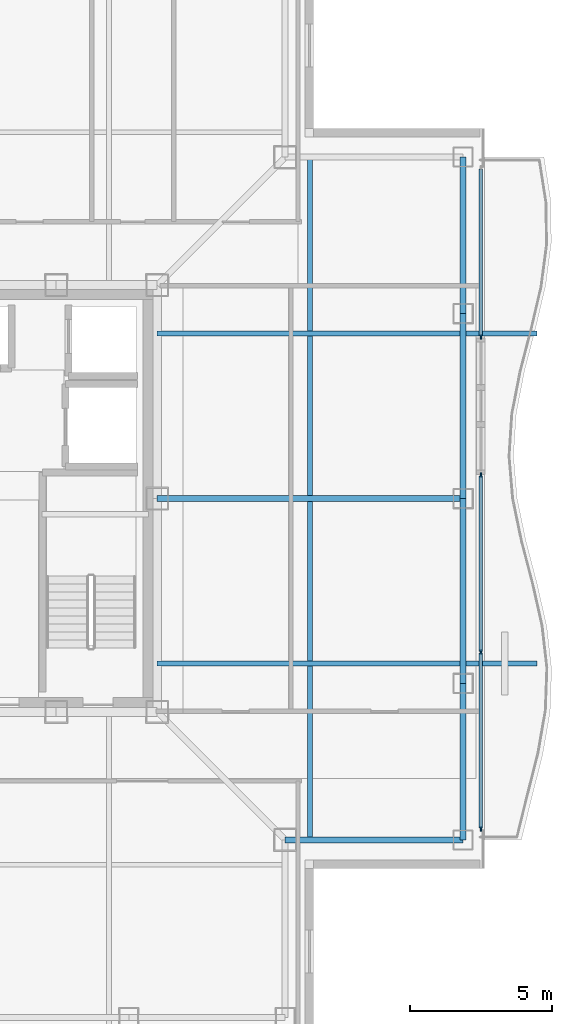
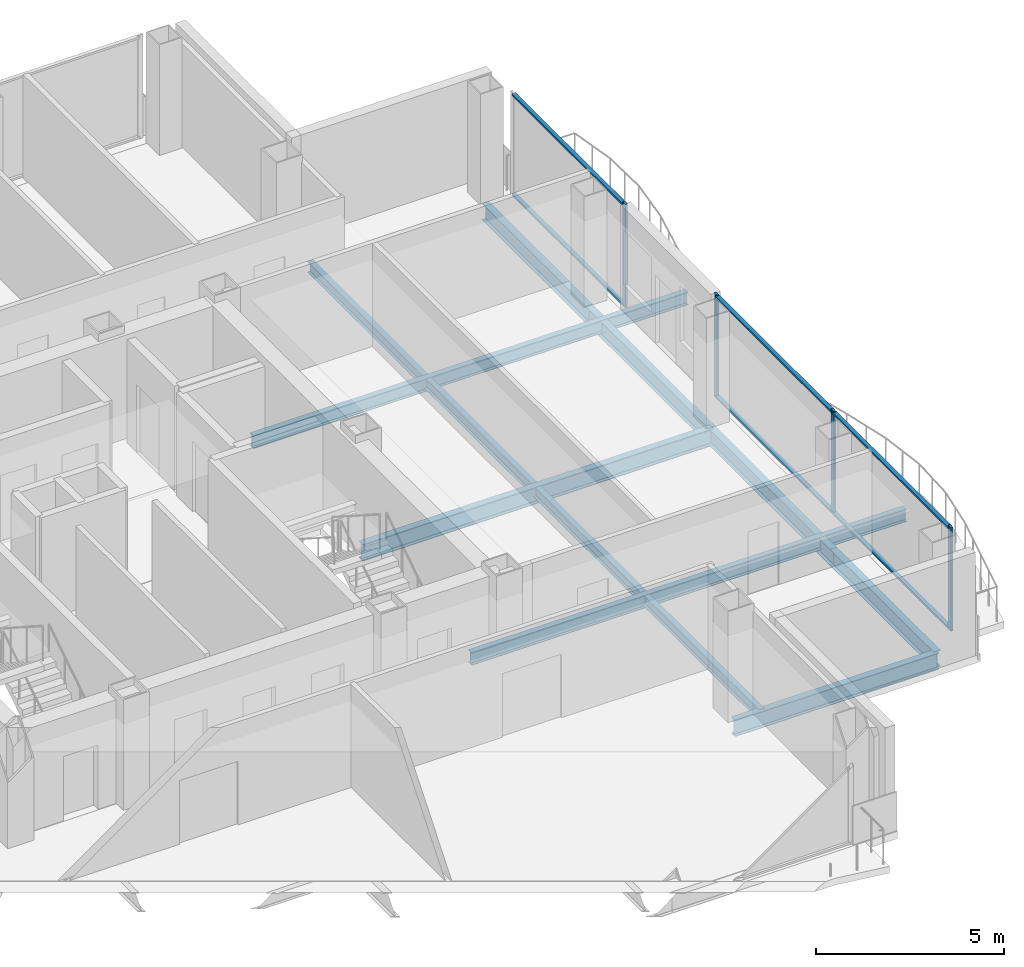
# One storey, part 6 of 17: 10 members, 9 beams, 2 elements without a shape of their own.
"""IFC4 building model written with IfcOpenShell, lengths in metres."""

from ifc_helpers import new_model, si_unit, direction, frame, origin, origin_2d, place, context, subcontext, project, spatial, rectangle, i_section, extrude, material, layer, layer_set, material_profile, profile_set, type_object, element, aggregate, save


model = new_model("IFC4")

# Units and contexts
model_context = context("Model", 3, precision=1e-05, world=origin(), true_north=direction((0.0, 1.0)))
body_context = subcontext(model_context, "Body", "Model", "MODEL_VIEW")
ifc_project = project(units=[si_unit("LENGTHUNIT", "METRE"), si_unit("AREAUNIT", "SQUARE_METRE"), si_unit("VOLUMEUNIT", "CUBIC_METRE"), si_unit("PLANEANGLEUNIT", "RADIAN"), si_unit("MASSUNIT", "GRAM", prefix="KILO")], contexts=[model_context])

# Site, building, storey
site_placement = place(None, origin())
site = spatial("IfcSite", under=ifc_project, at=site_placement, CompositionType="ELEMENT")
building_placement = place(site_placement, origin())
building = spatial("IfcBuilding", under=site, at=building_placement, Name="Trevonay Congress Spire", CompositionType="ELEMENT")
storey_placement = place(building_placement, frame((0.0, 0.0, 264.800048828125)))
storey = spatial("IfcBuildingStorey", under=building, at=storey_placement, Name="L69", CompositionType="ELEMENT", Elevation=264.800048828125)

# Beams
ifc_material_1 = material(Name="Steel ASTM A572 Grade 50", Category="steel")
ifc_material_profile_1 = material_profile(ifc_material_1, i_section(OverallWidth=0.2119140625, OverallDepth=0.5439453125, WebThickness=0.01318359375, FlangeThickness=0.021240234375, FilletRadius=0.014892578125, at=origin_2d()), Name="W530x123")
ifc_profile_set_1 = profile_set([ifc_material_profile_1], Name="Steel ASTM A572 Grade 50")
beam_type_1 = type_object("IfcBeamType", Name="BM-GIRD-W530X123", PredefinedType="BEAM", material=ifc_profile_set_1)
beam_1_placement = place(storey_placement, frame((7.5, 0.0, -0.511962890625), z_axis=(1.0, 0.0, 0.0), x_axis=(0.0, 1.0, 0.0)))
element("IfcBeam", 1, at=beam_1_placement, inside=storey, type_object=beam_type_1, Name="L69 structural beam BM-L69-GC-E", PredefinedType="BEAM", context=body_context, shape_type="SweptSolid", body=[
    extrude(i_section(OverallWidth=0.2119140625, OverallDepth=0.5439453125, WebThickness=0.01318359375, FlangeThickness=0.021240234375, FilletRadius=0.014892578125, at=origin_2d()), origin(), (0.0, 0.0, 1.0), 10.75),
])
ifc_material_profile_2 = material_profile(ifc_material_1, i_section(OverallWidth=0.208984375, OverallDepth=0.532958984375, WebThickness=0.01025390625, FlangeThickness=0.015625, FilletRadius=0.014892578125, at=origin_2d()), Name="W530x92")
ifc_profile_set_2 = profile_set([ifc_material_profile_2], Name="Steel ASTM A572 Grade 50")
beam_type_2 = type_object("IfcBeamType", Name="BM-RING-W530X92", PredefinedType="BEAM", material=ifc_profile_set_2)
beam_2_placement = place(storey_placement, frame((18.25, -12.0, -0.506591796875), z_axis=(0.0, 1.0, 0.0), x_axis=(-1.0, 0.0, 0.0)))
element("IfcBeam", 2, at=beam_2_placement, inside=storey, type_object=beam_type_2, Name="L69 structural beam BM-L69-PE1", PredefinedType="BEAM", context=body_context, shape_type="SweptSolid", body=[
    extrude(i_section(OverallWidth=0.208984375, OverallDepth=0.532958984375, WebThickness=0.01025390625, FlangeThickness=0.015625, FilletRadius=0.014892578125, at=origin_2d()), origin(), (0.0, 0.0, 1.0), 5.5),
])
for number, where, z_axis, x_axis, name in (
    (3, (18.25, -6.5, -0.506591796875), (0.0, 1.0, 0.0), (-1.0, 0.0, 0.0), "L69 structural beam BM-L69-PE2"),
    (4, (18.25, 0.0, -0.506591796875), (0.0, 1.0, 0.0), (-1.0, 0.0, 0.0), "L69 structural beam BM-L69-PE3"),
):
    element("IfcBeam", number, at=place(storey_placement, frame(where, z_axis=z_axis, x_axis=x_axis)), inside=storey, type_object=beam_type_2, Name=name, PredefinedType="BEAM", context=body_context, shape_type="SweptSolid", body=[
        extrude(i_section(OverallWidth=0.208984375, OverallDepth=0.532958984375, WebThickness=0.01025390625, FlangeThickness=0.015625, FilletRadius=0.014892578125, at=origin_2d()), origin(), (0.0, 0.0, 1.0), 6.5),
    ])
beam_3_placement = place(storey_placement, frame((18.25, 6.5, -0.506591796875), z_axis=(0.0, 1.0, 0.0), x_axis=(-1.0, 0.0, 0.0)))
element("IfcBeam", 5, at=beam_3_placement, inside=storey, type_object=beam_type_2, Name="L69 structural beam BM-L69-PE4", PredefinedType="BEAM", context=body_context, shape_type="SweptSolid", body=[
    extrude(i_section(OverallWidth=0.208984375, OverallDepth=0.532958984375, WebThickness=0.01025390625, FlangeThickness=0.015625, FilletRadius=0.014892578125, at=origin_2d()), origin(), (0.0, 0.0, 1.0), 5.5),
])
beam_4_placement = place(storey_placement, frame((18.25, -12.0, -0.506591796875), z_axis=(-1.0, 0.0, 0.0), x_axis=(0.0, -1.0, 0.0)))
element("IfcBeam", 6, at=beam_4_placement, inside=storey, type_object=beam_type_2, Name="L69 structural beam BM-L69-N2SE", PredefinedType="BEAM", context=body_context, shape_type="SweptSolid", body=[
    extrude(i_section(OverallWidth=0.208984375, OverallDepth=0.532958984375, WebThickness=0.01025390625, FlangeThickness=0.015625, FilletRadius=0.014892578125, at=origin_2d()), origin(), (0.0, 0.0, 1.0), 6.25),
])
ifc_material_profile_3 = material_profile(ifc_material_1, i_section(OverallWidth=0.180908203125, OverallDepth=0.4169921875, WebThickness=0.010986328125, FlangeThickness=0.018310546875, FilletRadius=0.012939453125, at=origin_2d()), Name="W410x85")
ifc_profile_set_3 = profile_set([ifc_material_profile_3], Name="Steel ASTM A572 Grade 50")
beam_type_3 = type_object("IfcBeamType", Name="BM-WAV-LOOKOUT", PredefinedType="BEAM", material=ifc_profile_set_3)
for number, where, z_axis, x_axis, name in (
    (7, (7.5, -5.800048828125, -0.448486328125), (1.0, 0.0, 0.0), (0.0, 1.0, 0.0), "L69 structural beam WLK-L69-E1"),
    (8, (7.5, 5.800048828125, -0.448486328125), (1.0, 0.0, 0.0), (0.0, 1.0, 0.0), "L69 structural beam WLK-L69-E2"),
):
    element("IfcBeam", number, at=place(storey_placement, frame(where, z_axis=z_axis, x_axis=x_axis)), inside=storey, type_object=beam_type_3, Name=name, PredefinedType="BEAM", context=body_context, shape_type="SweptSolid", body=[
        extrude(i_section(OverallWidth=0.180908203125, OverallDepth=0.4169921875, WebThickness=0.010986328125, FlangeThickness=0.018310546875, FilletRadius=0.012939453125, at=origin_2d()), origin(), (0.0, 0.0, 1.0), 13.35009765625),
    ])

# Curtain wall, members
ifc_material_2 = material(Name="Pale Anodised Aluminium EN AW-6063-T6", Category="aluminium")
ifc_layer = layer(ifc_material_2, 0.1650390625, Name="Pale Anodised Aluminium EN AW-6063-T6")
ifc_layer_set = layer_set([ifc_layer], Name="Pale Anodised Aluminium EN AW-6063-T6")
curtain_wall_type = type_object("IfcCurtainWallType", Name="CW-SYS05-DIPLOM-PALE-METAL", PredefinedType="NOTDEFINED", material=ifc_layer_set)
curtain_wall_1_placement = place(storey_placement, origin())
curtain_wall_1 = element("IfcCurtainWall", 9, at=curtain_wall_1_placement, inside=storey, type_object=curtain_wall_type, Name="L69 EA unitised curtain wall", PredefinedType="NOTDEFINED")
ifc_material_profile_4 = material_profile(ifc_material_2, rectangle(XDim=0.06005859375, YDim=0.159912109375, at=origin_2d()), Name="CW-MULLION-160-ALUMINIUM")
ifc_profile_set_4 = profile_set([ifc_material_profile_4], Name="Pale Anodised Aluminium EN AW-6063-T6")
member_type_1 = type_object("IfcMemberType", Name="CW-MULLION-160-ALUMINIUM", PredefinedType="MULLION", material=ifc_profile_set_4)
member_1_placement = place(storey_placement, frame((18.8798828125, -11.6201171875, 0.0), z_axis=(0.0, 0.0, 1.0), x_axis=(-1.0, 0.0, 0.0)))
member_1 = element("IfcMember", 10, at=member_1_placement, type_object=member_type_1, Name="CW05 mullion 1", PredefinedType="MULLION", context=body_context, shape_type="SweptSolid", body=[
    extrude(rectangle(XDim=0.06005859375, YDim=0.159912109375, at=origin_2d()), origin(), (0.0, 0.0, 1.0), 3.35986328125),
])
member_2_placement = place(storey_placement, frame((18.8798828125, -5.39990234375, 0.0), z_axis=(0.0, 0.0, 1.0), x_axis=(-1.0, 0.0, 0.0)))
member_2 = element("IfcMember", 11, at=member_2_placement, type_object=member_type_1, Name="CW05 mullion 2", PredefinedType="MULLION", context=body_context, shape_type="SweptSolid", body=[
    extrude(rectangle(XDim=0.06005859375, YDim=0.159912109375, at=origin_2d()), origin(), (0.0, 0.0, 1.0), 3.35986328125),
])
member_3_placement = place(storey_placement, frame((18.8798828125, 0.820068359375, 0.0), z_axis=(0.0, 0.0, 1.0), x_axis=(-1.0, 0.0, 0.0)))
member_3 = element("IfcMember", 12, at=member_3_placement, type_object=member_type_1, Name="CW05 mullion 3", PredefinedType="MULLION", context=body_context, shape_type="SweptSolid", body=[
    extrude(rectangle(XDim=0.06005859375, YDim=0.159912109375, at=origin_2d()), origin(), (0.0, 0.0, 1.0), 3.35986328125),
])

# Curtain wall, member
curtain_wall_2_placement = place(storey_placement, origin())
curtain_wall_2 = element("IfcCurtainWall", 13, at=curtain_wall_2_placement, inside=storey, type_object=curtain_wall_type, Name="L69 EB unitised curtain wall", PredefinedType="NOTDEFINED")
member_4_placement = place(storey_placement, frame((18.8798828125, 5.679931640625, 0.0), z_axis=(0.0, 0.0, 1.0), x_axis=(-1.0, 0.0, 0.0)))
member_4 = element("IfcMember", 14, at=member_4_placement, type_object=member_type_1, Name="CW05 mullion 1", PredefinedType="MULLION", context=body_context, shape_type="SweptSolid", body=[
    extrude(rectangle(XDim=0.06005859375, YDim=0.159912109375, at=origin_2d()), origin(), (0.0, 0.0, 1.0), 3.35986328125),
])

# Member
ifc_material_profile_5 = material_profile(ifc_material_2, rectangle(XDim=0.1201171875, YDim=0.06005859375, at=origin_2d()), Name="CW-TRANSOM-120-ALUMINIUM")
ifc_profile_set_5 = profile_set([ifc_material_profile_5], Name="Pale Anodised Aluminium EN AW-6063-T6")
member_type_2 = type_object("IfcMemberType", Name="CW-TRANSOM-120-ALUMINIUM", PredefinedType="USERDEFINED", material=ifc_profile_set_5)
member_5_placement = place(storey_placement, frame((18.8798828125, -11.590087890625, 0.06005859375), z_axis=(0.0, 1.0, 0.0), x_axis=(-1.0, 0.0, 0.0)))
member_5 = element("IfcMember", 15, at=member_5_placement, type_object=member_type_2, Name="CW05 transom 1.1", ObjectType="TRANSOM", PredefinedType="USERDEFINED", context=body_context, shape_type="SweptSolid", body=[
    extrude(rectangle(XDim=0.1201171875, YDim=0.06005859375, at=origin_2d()), origin(), (0.0, 0.0, 1.0), 6.16015625),
])

member_6_placement = place(storey_placement, frame((18.8798828125, -11.590087890625, 3.300048828125), z_axis=(0.0, 1.0, 0.0), x_axis=(-1.0, 0.0, 0.0)))
member_6 = element("IfcMember", 16, at=member_6_placement, type_object=member_type_2, Name="CW05 transom 1.2", ObjectType="TRANSOM", PredefinedType="USERDEFINED", context=body_context, shape_type="SweptSolid", body=[
    extrude(rectangle(XDim=0.1201171875, YDim=0.06005859375, at=origin_2d()), origin(), (0.0, 0.0, 1.0), 6.16015625),
])

member_7_placement = place(storey_placement, frame((18.8798828125, -5.3701171875, 0.06005859375), z_axis=(0.0, 1.0, 0.0), x_axis=(-1.0, 0.0, 0.0)))
member_7 = element("IfcMember", 17, at=member_7_placement, type_object=member_type_2, Name="CW05 transom 2.1", ObjectType="TRANSOM", PredefinedType="USERDEFINED", context=body_context, shape_type="SweptSolid", body=[
    extrude(rectangle(XDim=0.1201171875, YDim=0.06005859375, at=origin_2d()), origin(), (0.0, 0.0, 1.0), 6.16015625),
])

member_8_placement = place(storey_placement, frame((18.8798828125, -5.3701171875, 3.300048828125), z_axis=(0.0, 1.0, 0.0), x_axis=(-1.0, 0.0, 0.0)))
member_8 = element("IfcMember", 18, at=member_8_placement, type_object=member_type_2, Name="CW05 transom 2.2", ObjectType="TRANSOM", PredefinedType="USERDEFINED", context=body_context, shape_type="SweptSolid", body=[
    extrude(rectangle(XDim=0.1201171875, YDim=0.06005859375, at=origin_2d()), origin(), (0.0, 0.0, 1.0), 6.16015625),
])

aggregate(curtain_wall_1, [member_1, member_2, member_3, member_5, member_6, member_7, member_8])

member_9_placement = place(storey_placement, frame((18.8798828125, 5.7099609375, 0.06005859375), z_axis=(0.0, 1.0, 0.0), x_axis=(-1.0, 0.0, 0.0)))
member_9 = element("IfcMember", 19, at=member_9_placement, type_object=member_type_2, Name="CW05 transom 1.1", ObjectType="TRANSOM", PredefinedType="USERDEFINED", context=body_context, shape_type="SweptSolid", body=[
    extrude(rectangle(XDim=0.1201171875, YDim=0.06005859375, at=origin_2d()), origin(), (0.0, 0.0, 1.0), 5.880126953125),
])

member_10_placement = place(storey_placement, frame((18.8798828125, 5.7099609375, 3.300048828125), z_axis=(0.0, 1.0, 0.0), x_axis=(-1.0, 0.0, 0.0)))
member_10 = element("IfcMember", 20, at=member_10_placement, type_object=member_type_2, Name="CW05 transom 1.2", ObjectType="TRANSOM", PredefinedType="USERDEFINED", context=body_context, shape_type="SweptSolid", body=[
    extrude(rectangle(XDim=0.1201171875, YDim=0.06005859375, at=origin_2d()), origin(), (0.0, 0.0, 1.0), 5.880126953125),
])

aggregate(curtain_wall_2, [member_4, member_9, member_10])

# Beam
ifc_material_profile_6 = material_profile(ifc_material_1, i_section(OverallWidth=0.172119140625, OverallDepth=0.35791015625, WebThickness=0.0078125, FlangeThickness=0.01318359375, FilletRadius=0.011962890625, at=origin_2d()), Name="W360x57.8")
ifc_profile_set_6 = profile_set([ifc_material_profile_6], Name="Steel ASTM A572 Grade 50")
beam_type_4 = type_object("IfcBeamType", Name="JS-COMP-W360X57", PredefinedType="JOIST", material=ifc_profile_set_6)
beam_5_placement = place(storey_placement, frame((12.875, -12.0, -0.4189453125), z_axis=(0.0, 1.0, 0.0), x_axis=(-1.0, 0.0, 0.0)))
element("IfcBeam", 21, at=beam_5_placement, inside=storey, type_object=beam_type_4, Name="L69 structural beam JS-L69-RING-E", PredefinedType="JOIST", context=body_context, shape_type="SweptSolid", body=[
    extrude(i_section(OverallWidth=0.172119140625, OverallDepth=0.35791015625, WebThickness=0.0078125, FlangeThickness=0.01318359375, FilletRadius=0.011962890625, at=origin_2d()), origin(), (0.0, 0.0, 1.0), 24.0),
])

save(model, "model.ifc")
